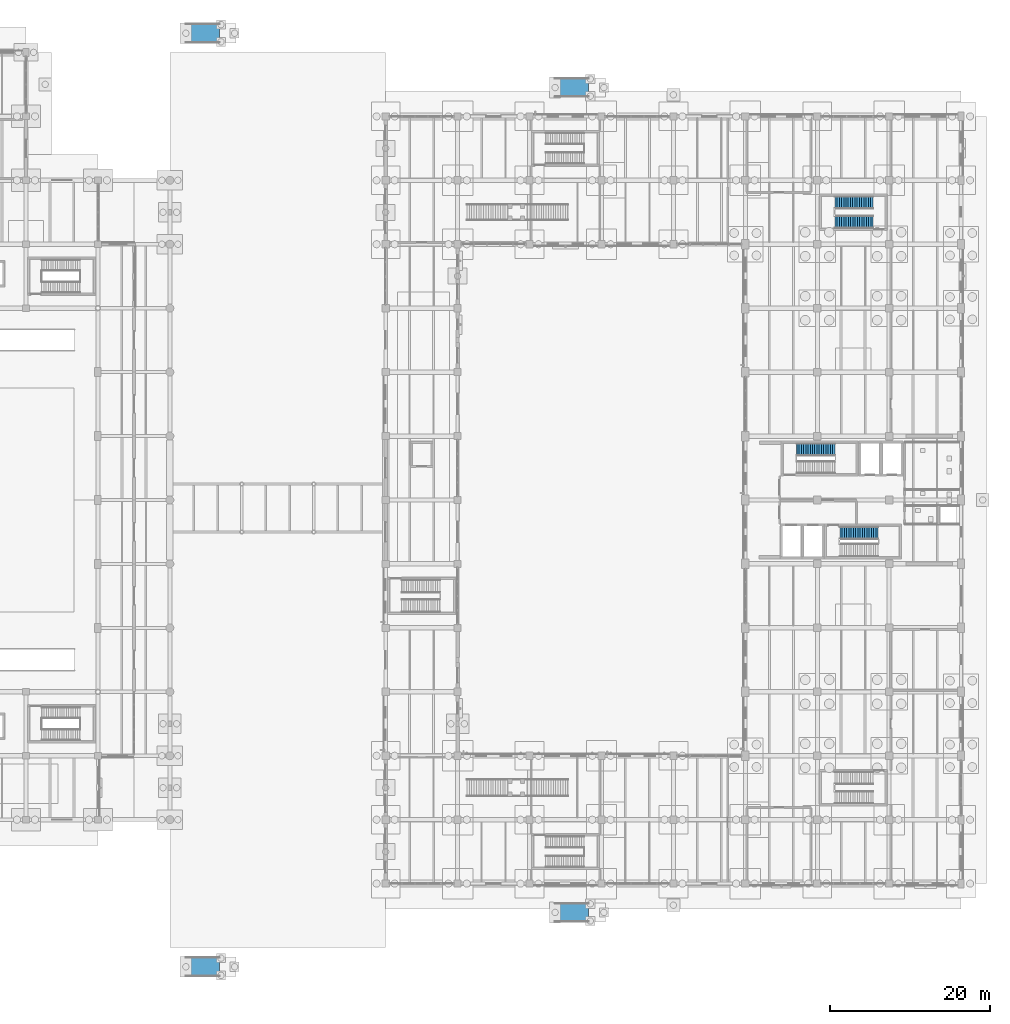
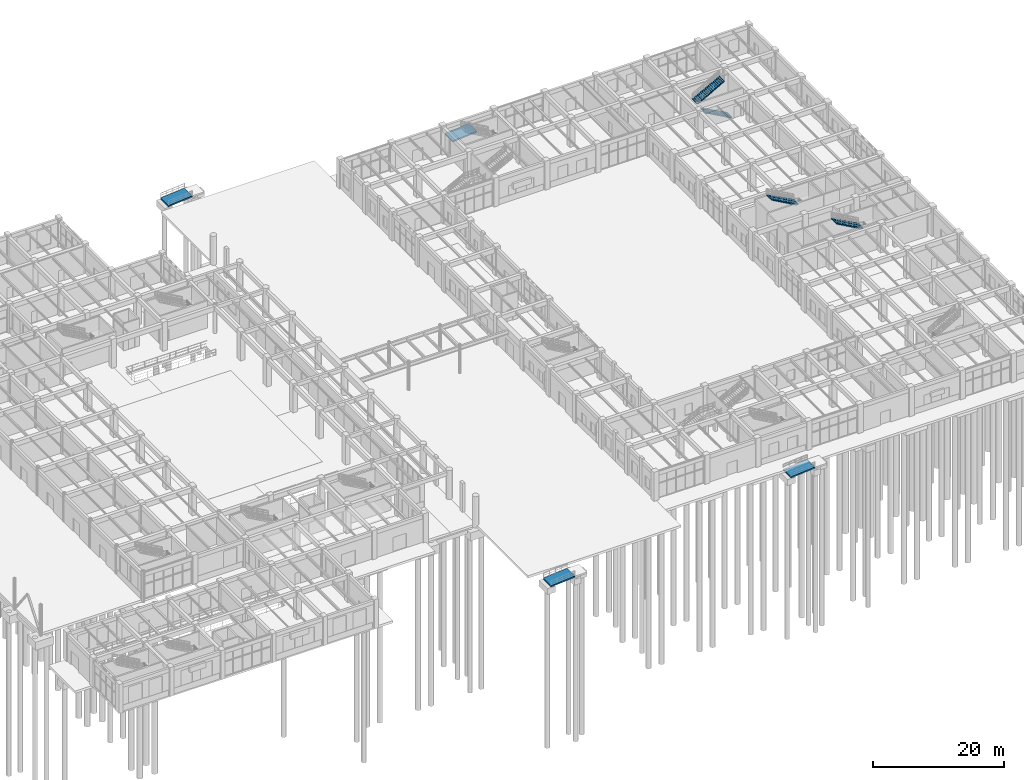
# One storey, part 103 of 121: 4 ramp flights, 4 stair flights, 7 elements without a shape of their own.
"""IFC4 building model written with IfcOpenShell, lengths in metres."""

from ifc_helpers import new_model, si_unit, derived_unit, direction, frame, origin, place, context, subcontext, project, spatial, polyline, outline, extrude, material, layer, layer_set, type_object, element, aggregate, save


model = new_model("IFC4")

# Units and contexts
model_context = context("Model", 3, precision=1e-05, world=origin(), true_north=direction((0.0, 1.0)))
body_context = subcontext(model_context, "Body", "Model", "MODEL_VIEW")
ifc_project = project(units=[si_unit("LENGTHUNIT", "METRE"), si_unit("AREAUNIT", "SQUARE_METRE"), si_unit("VOLUMEUNIT", "CUBIC_METRE"), si_unit("PLANEANGLEUNIT", "RADIAN"), si_unit("MASSUNIT", "GRAM", prefix="KILO"), derived_unit("THERMALTRANSMITTANCEUNIT", [(si_unit("MASSUNIT", "GRAM", prefix="KILO"), 1), (si_unit("TIMEUNIT", "SECOND"), -3), (si_unit("THERMODYNAMICTEMPERATUREUNIT", "KELVIN"), -1)])], contexts=[model_context])

# Site, building, storey
site_placement = place(None, origin())
site = spatial("IfcSite", under=ifc_project, at=site_placement, CompositionType="ELEMENT")
building_placement = place(site_placement, origin())
building = spatial("IfcBuilding", under=site, at=building_placement, Name="Zhenchuan Archway Interchange", CompositionType="ELEMENT")
storey_placement = place(building_placement, origin())
storey = spatial("IfcBuildingStorey", under=building, at=storey_placement, Name="L00", CompositionType="ELEMENT", Elevation=0.0)

# Stair, stair flight
ifc_material = material(Name="Concrete C35", Category="concrete")
stair_type_1 = type_object("IfcStairType", Name="STR_HALF_1550", PredefinedType="HALF_TURN_STAIR", material=ifc_material)
stair_1_placement = place(storey_placement, origin())
stair_1 = element("IfcStair", 1, at=stair_1_placement, inside=storey, type_object=stair_type_1, Name="Stair ST-O1 (L00)", PredefinedType="HALF_TURN_STAIR")
stair_flight_type_1 = type_object("IfcStairFlightType", Name="SFL_1550", PredefinedType="STRAIGHT", material=ifc_material)
stair_flight_1_placement = place(storey_placement, frame((155.20556640625, 62.31005859375, 2.699951171875), z_axis=(0.0, 0.0, 1.0), x_axis=(-1.0, 0.0, 0.0)))
stair_flight_1 = element("IfcStairFlight", 2, at=stair_flight_1_placement, type_object=stair_flight_type_1, Name="Stair ST-O1 upper flight (L00)", NumberOfRisers=18, NumberOfTreads=17, PredefinedType="STRAIGHT", RiserHeight=0.15, TreadLength=0.28, context=body_context, shape_type="SweptSolid", body=[
    extrude(outline(polyline([(0.0, 0.0), (0.0, 0.14990234375), (0.280029296875, 0.14990234375), (0.280029296875, 0.300048828125), (0.56005859375, 0.300048828125), (0.56005859375, 0.449951171875), (0.840087890625, 0.449951171875), (0.840087890625, 0.60009765625), (1.1201171875, 0.60009765625), (1.1201171875, 0.75), (1.39990234375, 0.75), (1.39990234375, 0.89990234375), (1.679931640625, 0.89990234375), (1.679931640625, 1.050048828125), (1.9599609375, 1.050048828125), (1.9599609375, 1.199951171875), (2.239990234375, 1.199951171875), (2.239990234375, 1.35009765625), (2.52001953125, 1.35009765625), (2.52001953125, 1.5), (2.800048828125, 1.5), (2.800048828125, 1.64990234375), (3.080078125, 1.64990234375), (3.080078125, 1.800048828125), (3.360107421875, 1.800048828125), (3.360107421875, 1.949951171875), (3.639892578125, 1.949951171875), (3.639892578125, 2.10009765625), (3.919921875, 2.10009765625), (3.919921875, 2.25), (4.199951171875, 2.25), (4.199951171875, 2.39990234375), (4.47998046875, 2.39990234375), (4.47998046875, 2.550048828125), (4.760009765625, 2.550048828125), (4.760009765625, 2.699951171875), (4.78125, 2.699951171875), (4.78125, 2.495849609375), (0.381103515625, 0.0), (0.0, 0.0)])), frame((0.0, 0.77490234375, 0.0), z_axis=(0.0, -1.0, 0.0), x_axis=(1.0, 0.0, 0.0)), (0.0, 0.0, 1.0), 1.550048828125),
])
aggregate(stair_1, [stair_flight_1])

# Stair, stair flights
stair_2_placement = place(storey_placement, origin())
stair_2 = element("IfcStair", 3, at=stair_2_placement, inside=storey, type_object=stair_type_1, Name="Stair ST-O3 (L00)", PredefinedType="HALF_TURN_STAIR")
stair_flight_2_placement = place(storey_placement, frame((159.9755859375, 90.7900390625, 0.0), z_axis=(0.0, 0.0, 1.0), x_axis=(-1.0, 0.0, 0.0)))
stair_flight_2 = element("IfcStairFlight", 4, at=stair_flight_2_placement, type_object=stair_flight_type_1, Name="Stair ST-O3 lower flight (L00)", NumberOfRisers=18, NumberOfTreads=17, PredefinedType="STRAIGHT", RiserHeight=0.15, TreadLength=0.28, context=body_context, shape_type="SweptSolid", body=[
    extrude(outline(polyline([(0.0, 0.0), (0.0, 0.14990234375), (0.280029296875, 0.14990234375), (0.280029296875, 0.300048828125), (0.56005859375, 0.300048828125), (0.56005859375, 0.449951171875), (0.840087890625, 0.449951171875), (0.840087890625, 0.60009765625), (1.1201171875, 0.60009765625), (1.1201171875, 0.75), (1.39990234375, 0.75), (1.39990234375, 0.89990234375), (1.679931640625, 0.89990234375), (1.679931640625, 1.050048828125), (1.9599609375, 1.050048828125), (1.9599609375, 1.199951171875), (2.239990234375, 1.199951171875), (2.239990234375, 1.35009765625), (2.52001953125, 1.35009765625), (2.52001953125, 1.5), (2.800048828125, 1.5), (2.800048828125, 1.64990234375), (3.080078125, 1.64990234375), (3.080078125, 1.800048828125), (3.360107421875, 1.800048828125), (3.360107421875, 1.949951171875), (3.639892578125, 1.949951171875), (3.639892578125, 2.10009765625), (3.919921875, 2.10009765625), (3.919921875, 2.25), (4.199951171875, 2.25), (4.199951171875, 2.39990234375), (4.47998046875, 2.39990234375), (4.47998046875, 2.550048828125), (4.760009765625, 2.550048828125), (4.760009765625, 2.699951171875), (4.78125, 2.699951171875), (4.78125, 2.495849609375), (0.381103515625, 0.0), (0.0, 0.0)])), frame((0.0, 0.77490234375, 0.0), z_axis=(0.0, -1.0, 0.0), x_axis=(1.0, 0.0, 0.0)), (0.0, 0.0, 1.0), 1.550048828125),
])
stair_flight_3_placement = place(storey_placement, frame((155.1943359375, 93.2099609375, 2.699951171875), z_axis=(0.0, 0.0, 1.0), x_axis=(1.0, 0.0, 0.0)))
stair_flight_3 = element("IfcStairFlight", 5, at=stair_flight_3_placement, type_object=stair_flight_type_1, Name="Stair ST-O3 upper flight (L00)", NumberOfRisers=18, NumberOfTreads=17, PredefinedType="STRAIGHT", RiserHeight=0.15, TreadLength=0.28, context=body_context, shape_type="SweptSolid", body=[
    extrude(outline(polyline([(0.0, 0.0), (0.0, 0.14990234375), (0.280029296875, 0.14990234375), (0.280029296875, 0.300048828125), (0.56005859375, 0.300048828125), (0.56005859375, 0.449951171875), (0.840087890625, 0.449951171875), (0.840087890625, 0.60009765625), (1.1201171875, 0.60009765625), (1.1201171875, 0.75), (1.39990234375, 0.75), (1.39990234375, 0.89990234375), (1.679931640625, 0.89990234375), (1.679931640625, 1.050048828125), (1.9599609375, 1.050048828125), (1.9599609375, 1.199951171875), (2.239990234375, 1.199951171875), (2.239990234375, 1.35009765625), (2.52001953125, 1.35009765625), (2.52001953125, 1.5), (2.800048828125, 1.5), (2.800048828125, 1.64990234375), (3.080078125, 1.64990234375), (3.080078125, 1.800048828125), (3.360107421875, 1.800048828125), (3.360107421875, 1.949951171875), (3.639892578125, 1.949951171875), (3.639892578125, 2.10009765625), (3.919921875, 2.10009765625), (3.919921875, 2.25), (4.199951171875, 2.25), (4.199951171875, 2.39990234375), (4.47998046875, 2.39990234375), (4.47998046875, 2.550048828125), (4.760009765625, 2.550048828125), (4.760009765625, 2.699951171875), (4.78125, 2.699951171875), (4.78125, 2.495849609375), (0.381103515625, 0.0), (0.0, 0.0)])), frame((0.0, 0.77490234375, 0.0), z_axis=(0.0, -1.0, 0.0), x_axis=(1.0, 0.0, 0.0)), (0.0, 0.0, 1.0), 1.550048828125),
])
aggregate(stair_2, [stair_flight_2, stair_flight_3])

# Stair, stair flight
stair_type_2 = type_object("IfcStairType", Name="STR_HALF_1600", PredefinedType="HALF_TURN_STAIR", material=ifc_material)
stair_3_placement = place(storey_placement, origin())
stair_3 = element("IfcStair", 6, at=stair_3_placement, inside=storey, type_object=stair_type_2, Name="Stair ST-O2 (L00)", PredefinedType="HALF_TURN_STAIR")
stair_flight_type_2 = type_object("IfcStairFlightType", Name="SFL_1600", PredefinedType="STRAIGHT", material=ifc_material)
stair_flight_4_placement = place(storey_placement, frame((160.605712890625, 51.885009765625, 2.699951171875), z_axis=(0.0, 0.0, 1.0), x_axis=(-1.0, 0.0, 0.0)))
stair_flight_4 = element("IfcStairFlight", 7, at=stair_flight_4_placement, type_object=stair_flight_type_2, Name="Stair ST-O2 upper flight (L00)", NumberOfRisers=18, NumberOfTreads=17, PredefinedType="STRAIGHT", RiserHeight=0.15, TreadLength=0.28, context=body_context, shape_type="SweptSolid", body=[
    extrude(outline(polyline([(0.0, 0.0), (0.0, 0.14990234375), (0.280029296875, 0.14990234375), (0.280029296875, 0.300048828125), (0.56005859375, 0.300048828125), (0.56005859375, 0.449951171875), (0.840087890625, 0.449951171875), (0.840087890625, 0.60009765625), (1.1201171875, 0.60009765625), (1.1201171875, 0.75), (1.39990234375, 0.75), (1.39990234375, 0.89990234375), (1.679931640625, 0.89990234375), (1.679931640625, 1.050048828125), (1.9599609375, 1.050048828125), (1.9599609375, 1.199951171875), (2.239990234375, 1.199951171875), (2.239990234375, 1.35009765625), (2.52001953125, 1.35009765625), (2.52001953125, 1.5), (2.800048828125, 1.5), (2.800048828125, 1.64990234375), (3.080078125, 1.64990234375), (3.080078125, 1.800048828125), (3.360107421875, 1.800048828125), (3.360107421875, 1.949951171875), (3.639892578125, 1.949951171875), (3.639892578125, 2.10009765625), (3.919921875, 2.10009765625), (3.919921875, 2.25), (4.199951171875, 2.25), (4.199951171875, 2.39990234375), (4.47998046875, 2.39990234375), (4.47998046875, 2.550048828125), (4.760009765625, 2.550048828125), (4.760009765625, 2.699951171875), (4.78125, 2.699951171875), (4.78125, 2.495849609375), (0.381103515625, 0.0), (0.0, 0.0)])), frame((0.0, 0.800048828125, 0.0), z_axis=(0.0, -1.0, 0.0), x_axis=(1.0, 0.0, 0.0)), (0.0, 0.0, 1.0), 1.60009765625),
])
aggregate(stair_3, [stair_flight_4])

# Ramp, ramp flight
ramp_type = type_object("IfcRampType", Name="RMP_ACC_SYS", PredefinedType="USERDEFINED", material=ifc_material)
ramp_1_placement = place(storey_placement, origin())
ramp_1 = element("IfcRamp", 8, at=ramp_1_placement, inside=storey, type_object=ramp_type, Name="South Public Passage accessible entrance ramp RMP-A1", ObjectType="ACCESSIBLE_RAMP", PredefinedType="USERDEFINED")
ifc_layer = layer(ifc_material, 0.25)
ifc_layer_set = layer_set([ifc_layer], Name="Concrete C35")
ramp_flight_type = type_object("IfcRampFlightType", Name="RFL_ACC_240", PredefinedType="STRAIGHT", material=ifc_layer_set)
ramp_flight_1_placement = place(storey_placement, frame((73.99951171875, -2.39990234375, -0.35009765625), z_axis=(0.0, 0.0, 1.0), x_axis=(1.0, 0.0, 0.0)))
ramp_flight_1 = element("IfcRampFlight", 9, at=ramp_flight_1_placement, type_object=ramp_flight_type, Name="RMP-A1 accessible flight", PredefinedType="STRAIGHT", context=body_context, shape_type="SweptSolid", body=[
    extrude(outline(polyline([(0.0, 0.0), (4.201171875, 0.35009765625), (4.201171875, 0.10009765625), (0.0, -0.25), (0.0, 0.0)])), frame((0.0, 1.199951171875, 0.0), z_axis=(0.0, -1.0, 0.0), x_axis=(1.0, 0.0, 0.0)), (0.0, 0.0, 1.0), 2.39990234375),
])
aggregate(ramp_1, [ramp_flight_1])

ramp_2_placement = place(storey_placement, origin())
ramp_2 = element("IfcRamp", 10, at=ramp_2_placement, inside=storey, type_object=ramp_type, Name="North Public Passage accessible entrance ramp RMP-A2", ObjectType="ACCESSIBLE_RAMP", PredefinedType="USERDEFINED")
ramp_flight_2_placement = place(storey_placement, frame((73.99951171875, 114.39990234375, -0.35009765625), z_axis=(0.0, 0.0, 1.0), x_axis=(1.0, 0.0, 0.0)))
ramp_flight_2 = element("IfcRampFlight", 11, at=ramp_flight_2_placement, type_object=ramp_flight_type, Name="RMP-A2 accessible flight", PredefinedType="STRAIGHT", context=body_context, shape_type="SweptSolid", body=[
    extrude(outline(polyline([(0.0, 0.0), (4.201171875, 0.35009765625), (4.201171875, 0.10009765625), (0.0, -0.25), (0.0, 0.0)])), frame((0.0, 1.199951171875, 0.0), z_axis=(0.0, -1.0, 0.0), x_axis=(1.0, 0.0, 0.0)), (0.0, 0.0, 1.0), 2.39990234375),
])
aggregate(ramp_2, [ramp_flight_2])

ramp_3_placement = place(storey_placement, origin())
ramp_3 = element("IfcRamp", 12, at=ramp_3_placement, inside=storey, type_object=ramp_type, Name="South Transit Operations accessible entrance ramp RMP-A3", ObjectType="ACCESSIBLE_RAMP", PredefinedType="USERDEFINED")
ramp_flight_3_placement = place(storey_placement, frame((120.199462890625, 4.39990234375, -0.35009765625), z_axis=(0.0, 0.0, 1.0), x_axis=(1.0, 0.0, 0.0)))
ramp_flight_3 = element("IfcRampFlight", 13, at=ramp_flight_3_placement, type_object=ramp_flight_type, Name="RMP-A3 accessible flight", PredefinedType="STRAIGHT", context=body_context, shape_type="SweptSolid", body=[
    extrude(outline(polyline([(0.0, 0.0), (4.201171875, 0.35009765625), (4.201171875, 0.10009765625), (0.0, -0.25), (0.0, 0.0)])), frame((0.0, 1.199951171875, 0.0), z_axis=(0.0, -1.0, 0.0), x_axis=(1.0, 0.0, 0.0)), (0.0, 0.0, 1.0), 2.39990234375),
])
aggregate(ramp_3, [ramp_flight_3])

ramp_4_placement = place(storey_placement, origin())
ramp_4 = element("IfcRamp", 14, at=ramp_4_placement, inside=storey, type_object=ramp_type, Name="North Transit Operations accessible entrance ramp RMP-A4", ObjectType="ACCESSIBLE_RAMP", PredefinedType="USERDEFINED")
ramp_flight_4_placement = place(storey_placement, frame((120.199462890625, 107.60009765625, -0.35009765625), z_axis=(0.0, 0.0, 1.0), x_axis=(1.0, 0.0, 0.0)))
ramp_flight_4 = element("IfcRampFlight", 15, at=ramp_flight_4_placement, type_object=ramp_flight_type, Name="RMP-A4 accessible flight", PredefinedType="STRAIGHT", context=body_context, shape_type="SweptSolid", body=[
    extrude(outline(polyline([(0.0, 0.0), (4.201171875, 0.35009765625), (4.201171875, 0.10009765625), (0.0, -0.25), (0.0, 0.0)])), frame((0.0, 1.199951171875, 0.0), z_axis=(0.0, -1.0, 0.0), x_axis=(1.0, 0.0, 0.0)), (0.0, 0.0, 1.0), 2.39990234375),
])
aggregate(ramp_4, [ramp_flight_4])

save(model, "model.ifc")
